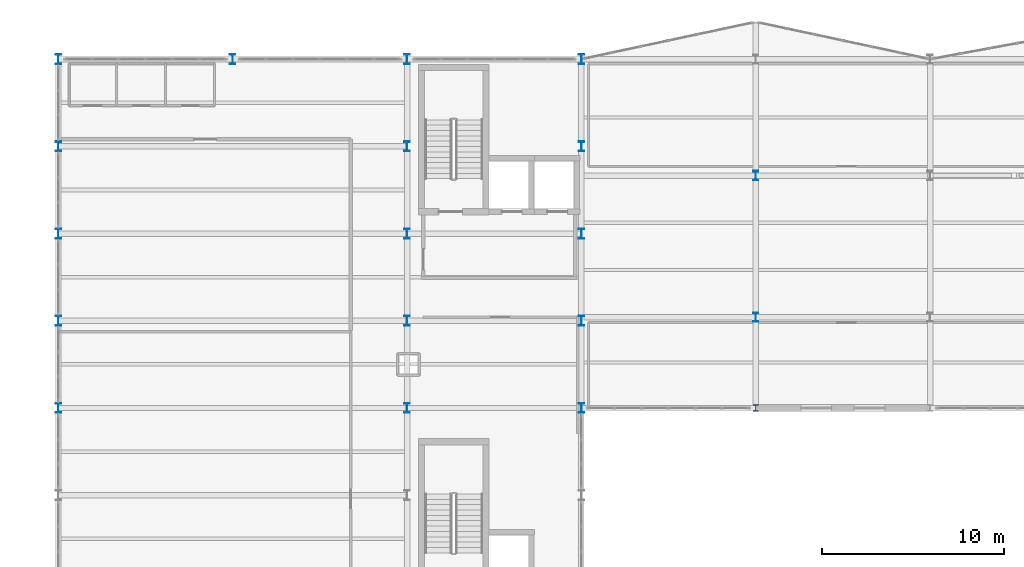
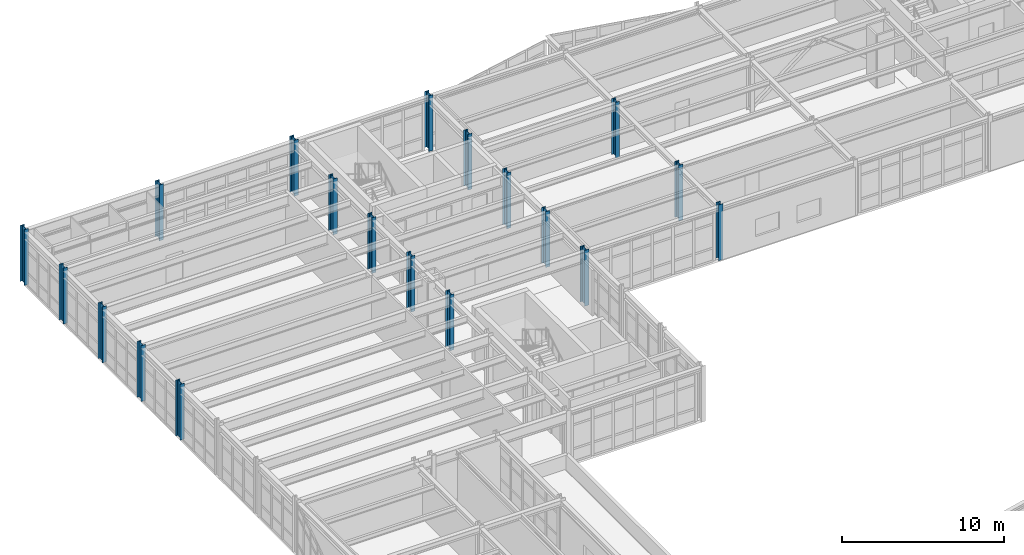
# One storey, part 6 of 64: 19 columns.
"""IFC4 building model written with IfcOpenShell, lengths in metres."""

from ifc_helpers import new_model, si_unit, direction, frame, origin, origin_2d, place, context, subcontext, project, spatial, i_section, extrude, material, material_profile, profile_set, type_object, element, save


model = new_model("IFC4")

# Units and contexts
model_context = context("Model", 3, precision=1e-05, world=origin(), true_north=direction((0.0, 1.0)))
body_context = subcontext(model_context, "Body", "Model", "MODEL_VIEW")
ifc_project = project(units=[si_unit("LENGTHUNIT", "METRE"), si_unit("AREAUNIT", "SQUARE_METRE"), si_unit("VOLUMEUNIT", "CUBIC_METRE"), si_unit("PLANEANGLEUNIT", "RADIAN"), si_unit("MASSUNIT", "GRAM", prefix="KILO")], contexts=[model_context])

# Site, building, storey
site_placement = place(None, origin())
site = spatial("IfcSite", under=ifc_project, at=site_placement, CompositionType="ELEMENT")
building_placement = place(site_placement, origin())
building = spatial("IfcBuilding", under=site, at=building_placement, Name="Nordkorset Police Headquarters", CompositionType="ELEMENT")
storey_placement = place(building_placement, frame((0.0, 0.0, 17.85009765625)))
storey = spatial("IfcBuildingStorey", under=building, at=storey_placement, Name="L04", CompositionType="ELEMENT", Elevation=17.85009765625)

# Columns
ifc_material_1 = material(Name="Steel S355J2", Category="steel")
ifc_material_profile_1 = material_profile(ifc_material_1, i_section(OverallWidth=0.300048828125, OverallDepth=0.340087890625, WebThickness=0.011962890625, FlangeThickness=0.021484375, FilletRadius=0.027099609375, at=origin_2d()), Name="HEB 340")
ifc_profile_set_1 = profile_set([ifc_material_profile_1], Name="Steel S355J2")
column_type_1 = type_object("IfcColumnType", Name="Col_HEB_340", PredefinedType="COLUMN", material=ifc_profile_set_1)
column_placement = place(storey_placement, frame((38.39990234375, 97.60009765625, 0.0), z_axis=(0.0, 0.0, 1.0), x_axis=(1.0, 0.0, 0.0)))
element("IfcColumn", 1, at=column_placement, inside=storey, type_object=column_type_1, Name="Structural Column V2_Y0_0 L04", PredefinedType="COLUMN", context=body_context, shape_type="SweptSolid", body=[
    extrude(i_section(OverallWidth=0.300048828125, OverallDepth=0.340087890625, WebThickness=0.011962890625, FlangeThickness=0.021484375, FilletRadius=0.027099609375, at=origin_2d()), origin(), (0.0, 0.0, 1.0), 4.199951171875),
])
ifc_material_2 = material(Name="Steel S355J2", Category="steel")
ifc_material_profile_2 = material_profile(ifc_material_2, i_section(OverallWidth=0.300048828125, OverallDepth=0.5, WebThickness=0.014404296875, FlangeThickness=0.028076171875, FilletRadius=0.027099609375, at=origin_2d()), Name="HEB 500")
ifc_profile_set_2 = profile_set([ifc_material_profile_2], Name="Steel S355J2")
column_type_2 = type_object("IfcColumnType", Name="Col_HEB_500", PredefinedType="COLUMN", material=ifc_profile_set_2)
for number, where, z_axis, x_axis, name in (
    (2, (38.39990234375, 102.60009765625, 0.0), (0.0, 0.0, 1.0), (1.0, 0.0, 0.0), "Structural Column V2_Y1_0 L04"),
    (3, (38.39990234375, 110.39990234375, 0.0), (0.0, 0.0, 1.0), (1.0, 0.0, 0.0), "Structural Column V2_Y2_0 L04"),
):
    element("IfcColumn", number, at=place(storey_placement, frame(where, z_axis=z_axis, x_axis=x_axis)), inside=storey, type_object=column_type_2, Name=name, PredefinedType="COLUMN", context=body_context, shape_type="SweptSolid", body=[
        extrude(i_section(OverallWidth=0.300048828125, OverallDepth=0.5, WebThickness=0.014404296875, FlangeThickness=0.028076171875, FilletRadius=0.027099609375, at=origin_2d()), origin(), (0.0, 0.0, 1.0), 4.199951171875),
    ])
ifc_material_3 = material(Name="Steel S355J2", Category="steel")
ifc_material_profile_3 = material_profile(ifc_material_3, i_section(OverallWidth=0.300048828125, OverallDepth=0.550048828125, WebThickness=0.014892578125, FlangeThickness=0.029052734375, FilletRadius=0.027099609375, at=origin_2d()), Name="HEB 550")
ifc_profile_set_3 = profile_set([ifc_material_profile_3], Name="Steel S355J2")
column_type_3 = type_object("IfcColumnType", Name="Col_HEB_550", PredefinedType="COLUMN", material=ifc_profile_set_3)
for number, where, z_axis, x_axis, name in (
    (4, (0.0, 97.60009765625, 0.0), (0.0, 0.0, 1.0), (1.0, 0.0, 0.0), "Structural Column V1_W_3 L04"),
    (5, (28.800048828125, 97.60009765625, 0.0), (0.0, 0.0, 1.0), (1.0, 0.0, 0.0), "Structural Column V1_E_3 L04"),
    (6, (0.0, 102.39990234375, 0.0), (0.0, 0.0, 1.0), (1.0, 0.0, 0.0), "Structural Column V1_W_4 L04"),
    (7, (28.800048828125, 102.39990234375, 0.0), (0.0, 0.0, 1.0), (1.0, 0.0, 0.0), "Structural Column V1_E_4 L04"),
    (8, (0.0, 107.199951171875, 0.0), (0.0, 0.0, 1.0), (1.0, 0.0, 0.0), "Structural Column V1_W_5 L04"),
    (9, (28.800048828125, 107.199951171875, 0.0), (0.0, 0.0, 1.0), (1.0, 0.0, 0.0), "Structural Column V1_E_5 L04"),
    (10, (0.0, 112.0, 0.0), (0.0, 0.0, 1.0), (1.0, 0.0, 0.0), "Structural Column V1_W_6 L04"),
    (11, (28.800048828125, 112.0, 0.0), (0.0, 0.0, 1.0), (1.0, 0.0, 0.0), "Structural Column V1_E_6 L04"),
    (12, (0.0, 116.800048828125, 0.0), (0.0, 0.0, 1.0), (1.0, 0.0, 0.0), "Structural Column V1_W_7 L04"),
    (13, (28.800048828125, 116.800048828125, 0.0), (0.0, 0.0, 1.0), (1.0, 0.0, 0.0), "Structural Column V1_E_7 L04"),
    (14, (9.60009765625, 116.800048828125, 0.0), (0.0, 0.0, 1.0), (1.0, 0.0, 0.0), "Structural Column V1_N_0 L04"),
    (15, (19.199951171875, 116.800048828125, 0.0), (0.0, 0.0, 1.0), (1.0, 0.0, 0.0), "Structural Column V1_N_1 L04"),
    (16, (19.199951171875, 97.60009765625, 0.0), (0.0, 0.0, 1.0), (1.0, 0.0, 0.0), "Structural Column V1_CW_2 L04"),
    (17, (19.199951171875, 102.39990234375, 0.0), (0.0, 0.0, 1.0), (1.0, 0.0, 0.0), "Structural Column V1_CW_3 L04"),
    (18, (19.199951171875, 107.199951171875, 0.0), (0.0, 0.0, 1.0), (1.0, 0.0, 0.0), "Structural Column V1_CW_4 L04"),
    (19, (19.199951171875, 112.0, 0.0), (0.0, 0.0, 1.0), (1.0, 0.0, 0.0), "Structural Column V1_CW_5 L04"),
):
    element("IfcColumn", number, at=place(storey_placement, frame(where, z_axis=z_axis, x_axis=x_axis)), inside=storey, type_object=column_type_3, Name=name, PredefinedType="COLUMN", context=body_context, shape_type="SweptSolid", body=[
        extrude(i_section(OverallWidth=0.300048828125, OverallDepth=0.550048828125, WebThickness=0.014892578125, FlangeThickness=0.029052734375, FilletRadius=0.027099609375, at=origin_2d()), origin(), (0.0, 0.0, 1.0), 4.199951171875),
    ])

save(model, "model.ifc")
